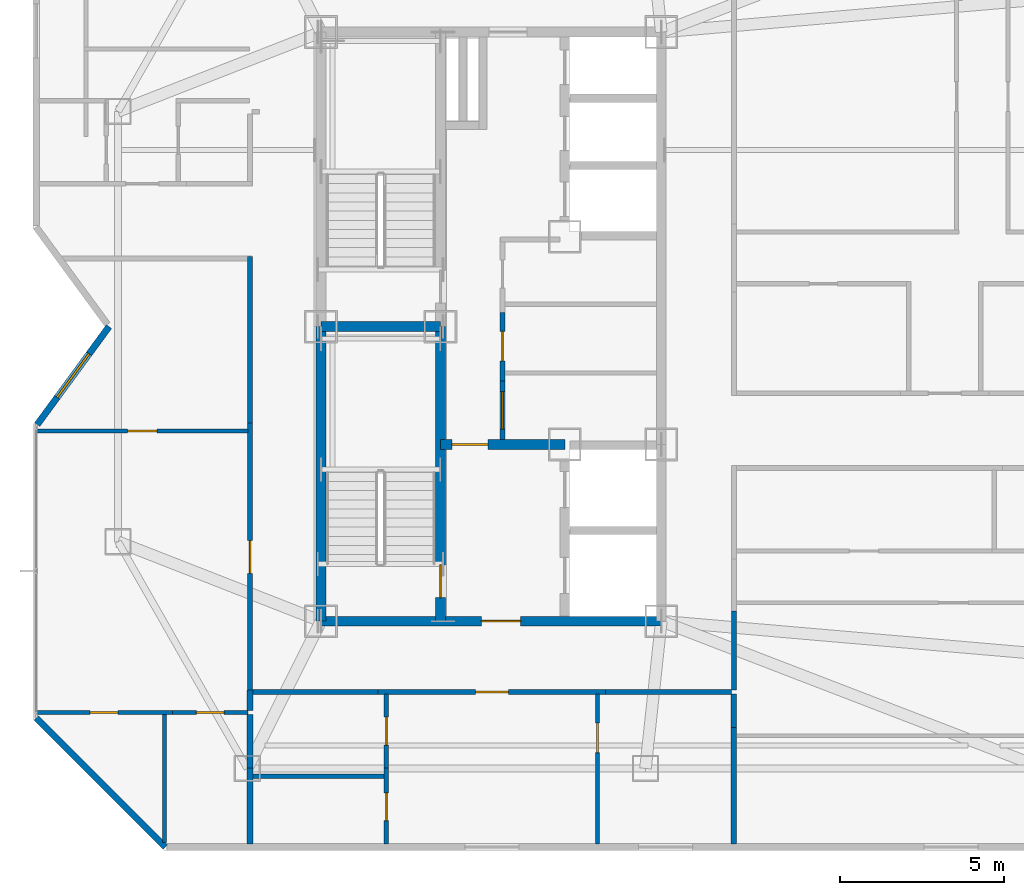
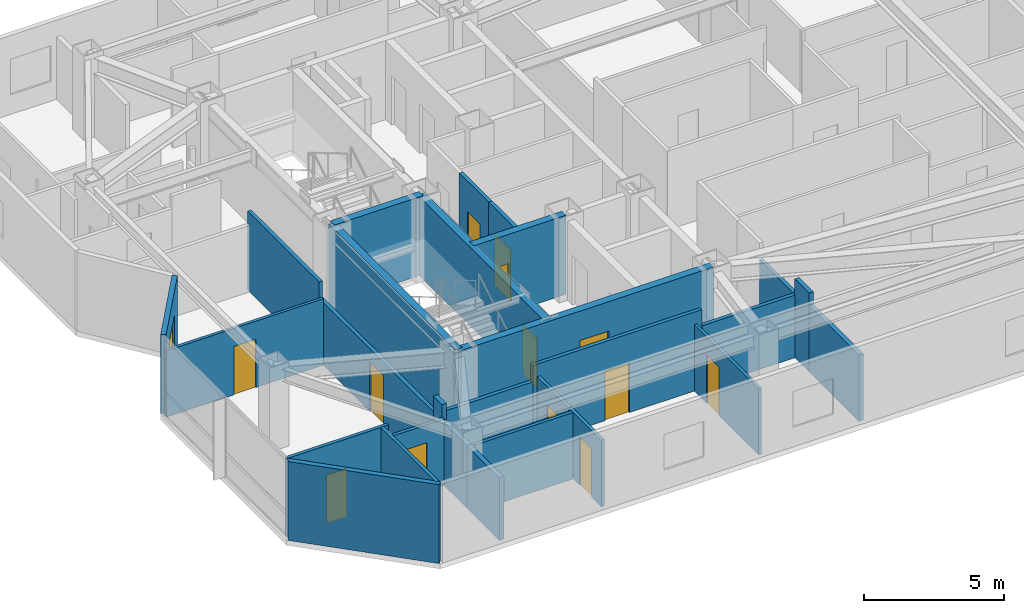
# One storey, part 8 of 14: 28 walls, 13 doors, 1 window, 14 openings.
"""IFC4 building model written with IfcOpenShell, lengths in metres."""

from ifc_helpers import new_model, si_unit, direction, frame, frame_2d, origin, place, context, subcontext, project, spatial, rectangle, extrude, material, layer, layer_set, type_object, element, fill, save


model = new_model("IFC4")

# Units and contexts
model_context = context("Model", 3, precision=1e-05, world=origin(), true_north=direction((0.0, 1.0)))
body_context = subcontext(model_context, "Body", "Model", "MODEL_VIEW")
ifc_project = project(units=[si_unit("LENGTHUNIT", "METRE"), si_unit("AREAUNIT", "SQUARE_METRE"), si_unit("VOLUMEUNIT", "CUBIC_METRE"), si_unit("PLANEANGLEUNIT", "RADIAN"), si_unit("MASSUNIT", "GRAM", prefix="KILO")], contexts=[model_context])

# Site, building, storey
site_placement = place(None, origin())
site = spatial("IfcSite", under=ifc_project, at=site_placement, CompositionType="ELEMENT")
building_placement = place(site_placement, origin())
building = spatial("IfcBuilding", under=site, at=building_placement, Name="Khamvora Tower", CompositionType="ELEMENT")
storey_placement = place(building_placement, frame((0.0, 0.0, 231.800048828125)))
storey = spatial("IfcBuildingStorey", under=building, at=storey_placement, Name="L59", CompositionType="ELEMENT", Elevation=231.800048828125)

# Wall
ifc_material_1 = material(Name="Concrete C50/60", Category="concrete")
ifc_layer_1 = layer(ifc_material_1, 0.300048828125)
ifc_layer_set_1 = layer_set([ifc_layer_1], Name="Concrete C50/60")
wall_type_1 = type_object("IfcWallType", Name="WAL-CORE-300", PredefinedType="SHEAR", material=ifc_layer_set_1)
wall_1_placement = place(storey_placement, frame((29.0, 19.0, 0.0), z_axis=(0.0, 0.0, 1.0), x_axis=(0.0, 1.0, 0.0)))
element("IfcWall", 1, at=wall_1_placement, inside=storey, type_object=wall_type_1, Name="L59 central core west south wall", PredefinedType="SHEAR", context=body_context, shape_type="SweptSolid", body=[
    extrude(rectangle(XDim=9.0, YDim=0.300048828125, at=frame_2d((4.5, 0.0))), origin(), (0.0, 0.0, 1.0), 3.429931640625),
])

# Wall, opening, door
wall_2_placement = place(storey_placement, frame((29.0, 19.0, 0.0), z_axis=(0.0, 0.0, 1.0), x_axis=(1.0, 0.0, 0.0)))
wall_2 = element("IfcWall", 2, at=wall_2_placement, inside=storey, type_object=wall_type_1, Name="L59 central core south wall", PredefinedType="SHEAR", context=body_context, shape_type="SweptSolid", body=[
    extrude(rectangle(XDim=10.39990234375, YDim=0.300048828125, at=frame_2d((5.199951171875, 0.0))), origin(), (0.0, 0.0, 1.0), 3.429931640625),
])
opening_1_placement = place(wall_2_placement, frame((4.89990234375, 0.0, 0.0)))
opening_1 = element("IfcOpeningElement", 3, at=opening_1_placement, cuts=wall_2, Name="Opening D-CR1", PredefinedType="OPENING", context=body_context, shape_type="SweptSolid", body=[
    extrude(rectangle(XDim=1.199951171875, YDim=2.14990234375, at=frame_2d((0.60009765625, 1.074951171875))), frame((0.0, 0.159912109375, 0.0), z_axis=(0.0, -1.0, 0.0), x_axis=(1.0, 0.0, 0.0)), (0.0, 0.0, 1.0), 0.320068359375),
])
ifc_material_2 = material(Name="Powder-Coated Steel and Hardwood Leaf", Category="steel")
door_type_1 = type_object("IfcDoorType", Name="DOR-CORR-1200", OperationType="NOTDEFINED", PredefinedType="DOOR", material=ifc_material_2)
door_1_placement = place(opening_1_placement, origin())
door_1 = element("IfcDoor", 4, at=door_1_placement, inside=storey, type_object=door_type_1, Name="L59 south core lobby to corridor fire door", OperationType="SINGLE_SWING_LEFT", OverallHeight=2.14990234375, OverallWidth=1.199951171875, PredefinedType="DOOR", context=body_context, shape_type="SweptSolid", body=[
    extrude(rectangle(XDim=1.199951171875, YDim=2.14990234375, at=frame_2d((0.60009765625, 1.074951171875))), frame((0.0, 0.02490234375, 0.0), z_axis=(0.0, -1.0, 0.0), x_axis=(1.0, 0.0, 0.0)), (0.0, 0.0, 1.0), 0.050048828125),
])
fill(opening_1, door_1)

wall_3_placement = place(storey_placement, frame((32.64990234375, 19.0, 0.0), z_axis=(0.0, 0.0, 1.0), x_axis=(0.0, 1.0, 0.0)))
wall_3 = element("IfcWall", 5, at=wall_3_placement, inside=storey, type_object=wall_type_1, Name="L59 central core stair south spine wall", PredefinedType="SHEAR", context=body_context, shape_type="SweptSolid", body=[
    extrude(rectangle(XDim=9.0, YDim=0.300048828125, at=frame_2d((4.5, 0.0))), origin(), (0.0, 0.0, 1.0), 3.429931640625),
])
opening_2_placement = place(wall_3_placement, frame((0.719970703125, 0.0, 0.0)))
opening_2 = element("IfcOpeningElement", 6, at=opening_2_placement, cuts=wall_3, Name="Opening D-ST1", PredefinedType="OPENING", context=body_context, shape_type="SweptSolid", body=[
    extrude(rectangle(XDim=1.0, YDim=2.14990234375, at=frame_2d((0.5, 1.074951171875))), frame((0.0, 0.159912109375, 0.0), z_axis=(0.0, -1.0, 0.0), x_axis=(1.0, 0.0, 0.0)), (0.0, 0.0, 1.0), 0.320068359375),
])
door_type_2 = type_object("IfcDoorType", Name="DOR-STAIR-1000", OperationType="NOTDEFINED", PredefinedType="DOOR", material=ifc_material_2)
door_2_placement = place(opening_2_placement, origin())
door_2 = element("IfcDoor", 7, at=door_2_placement, inside=storey, type_object=door_type_2, Name="L59 exit stair ST-01 fire door", OperationType="SINGLE_SWING_RIGHT", OverallHeight=2.14990234375, OverallWidth=1.0, PredefinedType="DOOR", context=body_context, shape_type="SweptSolid", body=[
    extrude(rectangle(XDim=1.0, YDim=2.14990234375, at=frame_2d((0.5, 1.074951171875))), frame((0.0, 0.02490234375, 0.0), z_axis=(0.0, -1.0, 0.0), x_axis=(1.0, 0.0, 0.0)), (0.0, 0.0, 1.0), 0.050048828125),
])
fill(opening_2, door_2)

# Wall
wall_4_placement = place(storey_placement, frame((29.0, 28.0, 0.0), z_axis=(0.0, 0.0, 1.0), x_axis=(1.0, 0.0, 0.0)))
element("IfcWall", 8, at=wall_4_placement, inside=storey, type_object=wall_type_1, Name="L59 central core stair cross wall", PredefinedType="SHEAR", context=body_context, shape_type="SweptSolid", body=[
    extrude(rectangle(XDim=3.64990234375, YDim=0.300048828125, at=frame_2d((1.824951171875, 0.0))), origin(), (0.0, 0.0, 1.0), 3.429931640625),
])

# Wall, opening, door
wall_5_placement = place(storey_placement, frame((32.64990234375, 24.39990234375, 0.0), z_axis=(0.0, 0.0, 1.0), x_axis=(1.0, 0.0, 0.0)))
wall_5 = element("IfcWall", 9, at=wall_5_placement, inside=storey, type_object=wall_type_1, Name="L59 central core firefighting lobby north wall", PredefinedType="SHEAR", context=body_context, shape_type="SweptSolid", body=[
    extrude(rectangle(XDim=3.800048828125, YDim=0.300048828125, at=frame_2d((1.89990234375, 0.0))), origin(), (0.0, 0.0, 1.0), 3.429931640625),
])
opening_3_placement = place(wall_5_placement, frame((0.35009765625, 0.0, 0.0)))
opening_3 = element("IfcOpeningElement", 10, at=opening_3_placement, cuts=wall_5, Name="Opening D-FF1", PredefinedType="OPENING", context=body_context, shape_type="SweptSolid", body=[
    extrude(rectangle(XDim=1.10009765625, YDim=2.14990234375, at=frame_2d((0.550048828125, 1.074951171875))), frame((0.0, 0.159912109375, 0.0), z_axis=(0.0, -1.0, 0.0), x_axis=(1.0, 0.0, 0.0)), (0.0, 0.0, 1.0), 0.320068359375),
])
door_type_3 = type_object("IfcDoorType", Name="DOR-FFLOB-1100", OperationType="NOTDEFINED", PredefinedType="DOOR", material=ifc_material_2)
door_3_placement = place(opening_3_placement, origin())
door_3 = element("IfcDoor", 11, at=door_3_placement, inside=storey, type_object=door_type_3, Name="L59 firefighting lobby smoke-seal fire door", OperationType="SINGLE_SWING_RIGHT", OverallHeight=2.14990234375, OverallWidth=1.10009765625, PredefinedType="DOOR", context=body_context, shape_type="SweptSolid", body=[
    extrude(rectangle(XDim=1.10009765625, YDim=2.14990234375, at=frame_2d((0.550048828125, 1.074951171875))), frame((0.0, 0.02490234375, 0.0), z_axis=(0.0, -1.0, 0.0), x_axis=(1.0, 0.0, 0.0)), (0.0, 0.0, 1.0), 0.050048828125),
])
fill(opening_3, door_3)

ifc_material_3 = material(Name="Fire-Rated Drywall and Steel Stud", Category="steel")
ifc_layer_2 = layer(ifc_material_3, 0.14990234375)
ifc_layer_set_2 = layer_set([ifc_layer_2], Name="Fire-Rated Drywall and Steel Stud")
wall_type_2 = type_object("IfcWallType", Name="WAL-CORR-150", PredefinedType="STANDARD", material=ifc_layer_set_2)
wall_6_placement = place(storey_placement, frame((34.544921875, 28.43603515625, 0.0), z_axis=(0.0, 0.0, 1.0), x_axis=(0.0, -1.0, 0.0)))
wall_6 = element("IfcWall", 12, at=wall_6_placement, inside=storey, type_object=wall_type_2, Name="L59 interior partition wall 003", PredefinedType="STANDARD", context=body_context, shape_type="SweptSolid", body=[
    extrude(rectangle(XDim=2.10009765625, YDim=0.14990234375, at=frame_2d((1.050048828125, 0.0))), origin(), (0.0, 0.0, 1.0), 3.429931640625),
])
opening_4_placement = place(wall_6_placement, frame((0.5791015625, 0.0, 0.0)))
opening_4 = element("IfcOpeningElement", 13, at=opening_4_placement, cuts=wall_6, Name="Opening D-RM1", PredefinedType="OPENING", context=body_context, shape_type="SweptSolid", body=[
    extrude(rectangle(XDim=0.89990234375, YDim=2.10009765625, at=frame_2d((0.449951171875, 1.050048828125))), frame((0.0, 0.0849609375, 0.0), z_axis=(0.0, -1.0, 0.0), x_axis=(1.0, 0.0, 0.0)), (0.0, 0.0, 1.0), 0.169921875),
])
door_type_4 = type_object("IfcDoorType", Name="DOR-ROOM-900", OperationType="NOTDEFINED", PredefinedType="DOOR", material=ifc_material_2)
door_4_placement = place(opening_4_placement, origin())
door_4 = element("IfcDoor", 14, at=door_4_placement, inside=storey, type_object=door_type_4, Name="L59 interior door PHL-CS2", OperationType="SINGLE_SWING_RIGHT", OverallHeight=2.10009765625, OverallWidth=0.89990234375, PredefinedType="DOOR", context=body_context, shape_type="SweptSolid", body=[
    extrude(rectangle(XDim=0.89990234375, YDim=2.10009765625, at=frame_2d((0.449951171875, 1.050048828125))), frame((0.0, 0.02490234375, 0.0), z_axis=(0.0, -1.0, 0.0), x_axis=(1.0, 0.0, 0.0)), (0.0, 0.0, 1.0), 0.050048828125),
])
fill(opening_4, door_4)

wall_7_placement = place(storey_placement, frame((34.544921875, 26.3359375, 0.0), z_axis=(0.0, 0.0, 1.0), x_axis=(0.0, -1.0, 0.0)))
wall_7 = element("IfcWall", 15, at=wall_7_placement, inside=storey, type_object=wall_type_2, Name="L59 interior partition wall 004", PredefinedType="STANDARD", context=body_context, shape_type="SweptSolid", body=[
    extrude(rectangle(XDim=1.7919921875, YDim=0.14990234375, at=frame_2d((0.89599609375, 0.0))), origin(), (0.0, 0.0, 1.0), 3.429931640625),
])
opening_5_placement = place(wall_7_placement, frame((0.321044921875, 0.0, 0.0)))
opening_5 = element("IfcOpeningElement", 16, at=opening_5_placement, cuts=wall_7, Name="Opening D-SC1", PredefinedType="OPENING", context=body_context, shape_type="SweptSolid", body=[
    extrude(rectangle(XDim=1.14990234375, YDim=2.199951171875, at=frame_2d((0.574951171875, 1.10009765625))), frame((0.0, 0.0849609375, 0.0), z_axis=(0.0, -1.0, 0.0), x_axis=(1.0, 0.0, 0.0)), (0.0, 0.0, 1.0), 0.169921875),
])
door_type_5 = type_object("IfcDoorType", Name="DOR-SCHL-1150", OperationType="NOTDEFINED", PredefinedType="DOOR", material=ifc_material_2)
door_5_placement = place(opening_5_placement, origin())
door_5 = element("IfcDoor", 17, at=door_5_placement, inside=storey, type_object=door_type_5, Name="L59 interior door PHL-CS3", OperationType="SINGLE_SWING_LEFT", OverallHeight=2.199951171875, OverallWidth=1.14990234375, PredefinedType="DOOR", context=body_context, shape_type="SweptSolid", body=[
    extrude(rectangle(XDim=1.14990234375, YDim=2.199951171875, at=frame_2d((0.574951171875, 1.10009765625))), frame((0.0, 0.02490234375, 0.0), z_axis=(0.0, -1.0, 0.0), x_axis=(1.0, 0.0, 0.0)), (0.0, 0.0, 1.0), 0.050048828125),
])
fill(opening_5, door_5)

wall_8_placement = place(storey_placement, frame((26.8349609375, 16.89990234375, 0.0), z_axis=(0.0, 0.0, 1.0), x_axis=(0.0, 1.0, 0.0)))
wall_8 = element("IfcWall", 18, at=wall_8_placement, inside=storey, type_object=wall_type_2, Name="L59 interior partition wall 007", PredefinedType="STANDARD", context=body_context, shape_type="SweptSolid", body=[
    extrude(rectangle(XDim=8.1591796875, YDim=0.14990234375, at=frame_2d((4.07958984375, 0.0))), origin(), (0.0, 0.0, 1.0), 2.724853515625),
])
opening_6_placement = place(wall_8_placement, frame((3.55908203125, 0.0, 0.0)))
opening_6 = element("IfcOpeningElement", 19, at=opening_6_placement, cuts=wall_8, Name="Opening D-U1", PredefinedType="OPENING", context=body_context, shape_type="SweptSolid", body=[
    extrude(rectangle(XDim=1.0, YDim=2.14990234375, at=frame_2d((0.5, 1.074951171875))), frame((0.0, 0.0849609375, 0.0), z_axis=(0.0, -1.0, 0.0), x_axis=(1.0, 0.0, 0.0)), (0.0, 0.0, 1.0), 0.169921875),
])
door_type_6 = type_object("IfcDoorType", Name="DOR-UNIT-1000", OperationType="NOTDEFINED", PredefinedType="DOOR", material=ifc_material_2)
door_6_placement = place(opening_6_placement, origin())
door_6 = element("IfcDoor", 20, at=door_6_placement, inside=storey, type_object=door_type_6, Name="L59 interior door COR-59WAH", OperationType="SINGLE_SWING_RIGHT", OverallHeight=2.14990234375, OverallWidth=1.0, PredefinedType="DOOR", context=body_context, shape_type="SweptSolid", body=[
    extrude(rectangle(XDim=1.0, YDim=2.14990234375, at=frame_2d((0.5, 1.074951171875))), frame((0.0, 0.02490234375, 0.0), z_axis=(0.0, -1.0, 0.0), x_axis=(1.0, 0.0, 0.0)), (0.0, 0.0, 1.0), 0.050048828125),
])
fill(opening_6, door_6)

# Wall
wall_9_placement = place(storey_placement, frame((26.8349609375, 25.05908203125, 0.0), z_axis=(0.0, 0.0, 1.0), x_axis=(0.0, 1.0, 0.0)))
element("IfcWall", 21, at=wall_9_placement, inside=storey, type_object=wall_type_2, Name="L59 interior partition wall 008", PredefinedType="STANDARD", context=body_context, shape_type="SweptSolid", body=[
    extrude(rectangle(XDim=5.0908203125, YDim=0.14990234375, at=frame_2d((2.54541015625, 0.0))), origin(), (0.0, 0.0, 1.0), 3.429931640625),
])

# Wall, opening, door
wall_10_placement = place(storey_placement, frame((37.698974609375, 16.8349609375, 0.0), z_axis=(0.0, 0.0, 1.0), x_axis=(-1.0, 0.0, 0.0)))
wall_10 = element("IfcWall", 22, at=wall_10_placement, inside=storey, type_object=wall_type_2, Name="L59 interior partition wall 014", PredefinedType="STANDARD", context=body_context, shape_type="SweptSolid", body=[
    extrude(rectangle(XDim=6.947998046875, YDim=0.14990234375, at=frame_2d((3.47412109375, 0.0))), origin(), (0.0, 0.0, 1.0), 3.429931640625),
])
opening_7_placement = place(wall_10_placement, frame((2.97412109375, 0.0, 0.0)))
opening_7 = element("IfcOpeningElement", 23, at=opening_7_placement, cuts=wall_10, Name="Opening D-U1", PredefinedType="OPENING", context=body_context, shape_type="SweptSolid", body=[
    extrude(rectangle(XDim=1.0, YDim=2.14990234375, at=frame_2d((0.5, 1.074951171875))), frame((0.0, 0.0849609375, 0.0), z_axis=(0.0, -1.0, 0.0), x_axis=(1.0, 0.0, 0.0)), (0.0, 0.0, 1.0), 0.169921875),
])
door_7_placement = place(opening_7_placement, origin())
door_7 = element("IfcDoor", 24, at=door_7_placement, inside=storey, type_object=door_type_6, Name="L59 interior door COR-59SAH", OperationType="SINGLE_SWING_RIGHT", OverallHeight=2.14990234375, OverallWidth=1.0, PredefinedType="DOOR", context=body_context, shape_type="SweptSolid", body=[
    extrude(rectangle(XDim=1.0, YDim=2.14990234375, at=frame_2d((0.5, 1.074951171875))), frame((0.0, 0.02490234375, 0.0), z_axis=(0.0, -1.0, 0.0), x_axis=(1.0, 0.0, 0.0)), (0.0, 0.0, 1.0), 0.050048828125),
])
fill(opening_7, door_7)

# Walls
for number, where, z_axis, x_axis, name in (
    (25, (30.7509765625, 16.8349609375, 0.0), (0.0, 0.0, 1.0), (-1.0, 0.0, 0.0), "L59 interior partition wall 015"),
    (26, (41.550048828125, 16.8349609375, 0.0), (0.0, 0.0, 1.0), (-1.0, 0.0, 0.0), "L59 interior partition wall 016"),
):
    element("IfcWall", number, at=place(storey_placement, frame(where, z_axis=z_axis, x_axis=x_axis)), inside=storey, type_object=wall_type_2, Name=name, PredefinedType="STANDARD", context=body_context, shape_type="SweptSolid", body=[
        extrude(rectangle(XDim=3.85107421875, YDim=0.14990234375, at=frame_2d((1.925537109375, 0.0))), origin(), (0.0, 0.0, 1.0), 2.724853515625),
    ])
wall_11_placement = place(storey_placement, frame((41.614990234375, 19.31396484375, 0.0), z_axis=(0.0, 0.0, 1.0), x_axis=(0.0, -1.0, 0.0)))
element("IfcWall", 27, at=wall_11_placement, inside=storey, type_object=wall_type_2, Name="L59 interior partition wall 027", PredefinedType="STANDARD", context=body_context, shape_type="SweptSolid", body=[
    extrude(rectangle(XDim=2.4140625, YDim=0.14990234375, at=frame_2d((1.20703125, 0.0))), origin(), (0.0, 0.0, 1.0), 2.724853515625),
])
ifc_material_4 = material(Name="Acoustic Double-Stud Fire Wall", Category="gypsum")
ifc_layer_3 = layer(ifc_material_4, 0.179931640625)
ifc_layer_set_3 = layer_set([ifc_layer_3], Name="Acoustic Double-Stud Fire Wall")
wall_type_3 = type_object("IfcWallType", Name="WAL-CORR-180", PredefinedType="STANDARD", material=ifc_layer_set_3)
wall_12_placement = place(storey_placement, frame((26.8349609375, 16.89990234375, 0.0), z_axis=(0.0, 0.0, 1.0), x_axis=(0.0, -1.0, 0.0)))
element("IfcWall", 28, at=wall_12_placement, inside=storey, type_object=wall_type_3, Name="L59 interior partition wall 040", PredefinedType="STANDARD", context=body_context, shape_type="SweptSolid", body=[
    extrude(rectangle(XDim=0.625, YDim=0.179931640625, at=frame_2d((0.3125, 0.0))), origin(), (0.0, 0.0, 1.0), 3.429931640625),
])
wall_13_placement = place(storey_placement, frame((26.8349609375, 14.509033203125, 0.0), z_axis=(0.0, 0.0, 1.0), x_axis=(0.0, -1.0, 0.0)))
element("IfcWall", 29, at=wall_13_placement, inside=storey, type_object=wall_type_3, Name="L59 interior partition wall 042", PredefinedType="STANDARD", context=body_context, shape_type="SweptSolid", body=[
    extrude(rectangle(XDim=2.317138671875, YDim=0.179931640625, at=frame_2d((1.15869140625, 0.0))), origin(), (0.0, 0.0, 1.0), 2.724853515625),
])
wall_14_placement = place(storey_placement, frame((26.8349609375, 16.14501953125, 0.0), z_axis=(0.0, 0.0, 1.0), x_axis=(0.0, -1.0, 0.0)))
element("IfcWall", 30, at=wall_14_placement, inside=storey, type_object=wall_type_3, Name="L59 interior partition wall 043", PredefinedType="STANDARD", context=body_context, shape_type="SweptSolid", body=[
    extrude(rectangle(XDim=1.635986328125, YDim=0.179931640625, at=frame_2d((0.81787109375, 0.0))), origin(), (0.0, 0.0, 1.0), 2.724853515625),
])
wall_15_placement = place(storey_placement, frame((41.614990234375, 15.748046875, 0.0), z_axis=(0.0, 0.0, 1.0), x_axis=(0.0, -1.0, 0.0)))
element("IfcWall", 31, at=wall_15_placement, inside=storey, type_object=wall_type_3, Name="L59 interior partition wall 056", PredefinedType="STANDARD", context=body_context, shape_type="SweptSolid", body=[
    extrude(rectangle(XDim=3.55615234375, YDim=0.179931640625, at=frame_2d((1.778076171875, 0.0))), origin(), (0.0, 0.0, 1.0), 2.886962890625),
])
wall_16_placement = place(storey_placement, frame((41.614990234375, 16.77001953125, 0.0), z_axis=(0.0, 0.0, 1.0), x_axis=(0.0, -1.0, 0.0)))
element("IfcWall", 32, at=wall_16_placement, inside=storey, type_object=wall_type_3, Name="L59 interior partition wall 057", PredefinedType="STANDARD", context=body_context, shape_type="SweptSolid", body=[
    extrude(rectangle(XDim=1.02197265625, YDim=0.179931640625, at=frame_2d((0.510986328125, 0.0))), origin(), (0.0, 0.0, 1.0), 3.429931640625),
])
ifc_material_5 = material(Name="Precast concrete C40/50", Category="concrete")
ifc_layer_4 = layer(ifc_material_5, 0.199951171875)
ifc_layer_set_4 = layer_set([ifc_layer_4], Name="Precast concrete C40/50")
wall_type_4 = type_object("IfcWallType", Name="WAL-EXT-200", PredefinedType="STANDARD", material=ifc_layer_set_4)
wall_17_placement = place(storey_placement, frame((24.240966796875, 12.10009765625, 0.0), z_axis=(0.0, 0.0, 1.0), x_axis=(-0.707106781187, 0.707106781187, 0.0)))
element("IfcWall", 33, at=wall_17_placement, inside=storey, type_object=wall_type_4, Name="L59 exterior facade wall 01.1", PredefinedType="STANDARD", context=body_context, shape_type="SweptSolid", body=[
    extrude(rectangle(XDim=5.5732421875, YDim=0.199951171875, at=frame_2d((2.78662109375, 0.0))), origin(), (0.0, 0.0, 1.0), 3.429931640625),
])

# Wall, opening, window
wall_18_placement = place(storey_placement, frame((20.3291015625, 25.007080078125, 0.0), z_axis=(0.0, 0.0, 1.0), x_axis=(0.591366515379, 0.806402904564, 0.0)))
wall_18 = element("IfcWall", 34, at=wall_18_placement, inside=storey, type_object=wall_type_4, Name="L59 exterior facade wall 03.1", PredefinedType="STANDARD", context=body_context, shape_type="SweptSolid", body=[
    extrude(rectangle(XDim=3.71142578125, YDim=0.199951171875, at=frame_2d((1.855712890625, 0.0))), origin(), (0.0, 0.0, 1.0), 3.429931640625),
])
opening_8_placement = place(wall_18_placement, frame((1.031005859375, 0.0, 0.85009765625)))
opening_8 = element("IfcOpeningElement", 35, at=opening_8_placement, cuts=wall_18, Name="Opening WN-06", PredefinedType="OPENING", context=body_context, shape_type="SweptSolid", body=[
    extrude(rectangle(XDim=1.64990234375, YDim=1.550048828125, at=frame_2d((0.824951171875, 0.77490234375))), frame((0.0, 0.10986328125, 0.0), z_axis=(0.0, -1.0, 0.0), x_axis=(1.0, 0.0, 0.0)), (0.0, 0.0, 1.0), 0.219970703125),
])
ifc_material_6 = material(Name="Low-E Laminated Double Glazing", Category="glass")
window_type = type_object("IfcWindowType", Name="WIN-VIS-1650x1550", PartitioningType="SINGLE_PANEL", PredefinedType="WINDOW", material=ifc_material_6)
window_placement = place(opening_8_placement, origin())
window = element("IfcWindow", 36, at=window_placement, inside=storey, type_object=window_type, Name="L59 vision window 03.1.01", OverallHeight=1.550048828125, OverallWidth=1.64990234375, PartitioningType="SINGLE_PANEL", PredefinedType="WINDOW", context=body_context, shape_type="SweptSolid", body=[
    extrude(rectangle(XDim=1.64990234375, YDim=1.550048828125, at=frame_2d((0.824951171875, 0.77490234375))), frame((0.0, 0.030029296875, 0.0), z_axis=(0.0, -1.0, 0.0), x_axis=(1.0, 0.0, 0.0)), (0.0, 0.0, 1.0), 0.06005859375),
])
fill(opening_8, window)

# Wall, opening, door
ifc_material_7 = material(Name="Gypsum Plasterboard Partition", Category="gypsum")
ifc_layer_5 = layer(ifc_material_7, 0.1201171875)
ifc_layer_set_5 = layer_set([ifc_layer_5], Name="Gypsum Plasterboard Partition")
wall_type_5 = type_object("IfcWallType", Name="WAL-PART-120", PredefinedType="PARTITIONING", material=ifc_layer_set_5)
wall_19_placement = place(storey_placement, frame((20.31005859375, 24.81005859375, 0.0), z_axis=(0.0, 0.0, 1.0), x_axis=(1.0, 0.0, 0.0)))
wall_19 = element("IfcWall", 37, at=wall_19_placement, inside=storey, type_object=wall_type_5, Name="L59 interior partition wall 039", PredefinedType="PARTITIONING", context=body_context, shape_type="SweptSolid", body=[
    extrude(rectangle(XDim=6.4599609375, YDim=0.1201171875, at=frame_2d((3.22998046875, 0.0))), origin(), (0.0, 0.0, 1.0), 2.886962890625),
])
opening_9_placement = place(wall_19_placement, frame((2.780029296875, 0.0, 0.0)))
opening_9 = element("IfcOpeningElement", 38, at=opening_9_placement, cuts=wall_19, Name="Opening D-RM1", PredefinedType="OPENING", context=body_context, shape_type="SweptSolid", body=[
    extrude(rectangle(XDim=0.89990234375, YDim=2.10009765625, at=frame_2d((0.449951171875, 1.050048828125))), frame((0.0, 0.070068359375, 0.0), z_axis=(0.0, -1.0, 0.0), x_axis=(1.0, 0.0, 0.0)), (0.0, 0.0, 1.0), 0.14013671875),
])
door_8_placement = place(opening_9_placement, origin())
door_8 = element("IfcDoor", 39, at=door_8_placement, inside=storey, type_object=door_type_4, Name="L59 interior door 59WAH-59WAR1", OperationType="SINGLE_SWING_LEFT", OverallHeight=2.10009765625, OverallWidth=0.89990234375, PredefinedType="DOOR", context=body_context, shape_type="SweptSolid", body=[
    extrude(rectangle(XDim=0.89990234375, YDim=2.10009765625, at=frame_2d((0.449951171875, 1.050048828125))), frame((0.0, 0.02490234375, 0.0), z_axis=(0.0, -1.0, 0.0), x_axis=(1.0, 0.0, 0.0)), (0.0, 0.0, 1.0), 0.050048828125),
])
fill(opening_9, door_8)

wall_20_placement = place(storey_placement, frame((37.449951171875, 16.77001953125, 0.0), z_axis=(0.0, 0.0, 1.0), x_axis=(0.0, -1.0, 0.0)))
wall_20 = element("IfcWall", 40, at=wall_20_placement, inside=storey, type_object=wall_type_5, Name="L59 interior partition wall 054", PredefinedType="PARTITIONING", context=body_context, shape_type="SweptSolid", body=[
    extrude(rectangle(XDim=4.578125, YDim=0.1201171875, at=frame_2d((2.2890625, 0.0))), origin(), (0.0, 0.0, 1.0), 2.886962890625),
])
opening_10_placement = place(wall_20_placement, frame((0.884033203125, 0.0, 0.0)))
opening_10 = element("IfcOpeningElement", 41, at=opening_10_placement, cuts=wall_20, Name="Opening D-RM1", PredefinedType="OPENING", context=body_context, shape_type="SweptSolid", body=[
    extrude(rectangle(XDim=0.89990234375, YDim=2.10009765625, at=frame_2d((0.449951171875, 1.050048828125))), frame((0.0, 0.070068359375, 0.0), z_axis=(0.0, -1.0, 0.0), x_axis=(1.0, 0.0, 0.0)), (0.0, 0.0, 1.0), 0.14013671875),
])
door_9_placement = place(opening_10_placement, origin())
door_9 = element("IfcDoor", 42, at=door_9_placement, inside=storey, type_object=door_type_4, Name="L59 interior door 59SAH-59SAR1", OperationType="SINGLE_SWING_LEFT", OverallHeight=2.10009765625, OverallWidth=0.89990234375, PredefinedType="DOOR", context=body_context, shape_type="SweptSolid", body=[
    extrude(rectangle(XDim=0.89990234375, YDim=2.10009765625, at=frame_2d((0.449951171875, 1.050048828125))), frame((0.0, 0.02490234375, 0.0), z_axis=(0.0, -1.0, 0.0), x_axis=(1.0, 0.0, 0.0)), (0.0, 0.0, 1.0), 0.050048828125),
])
fill(opening_10, door_9)

ifc_material_8 = material(Name="Moisture-Resistant Plasterboard Partition", Category="gypsum")
ifc_layer_6 = layer(ifc_material_8, 0.135009765625)
ifc_layer_set_6 = layer_set([ifc_layer_6], Name="Moisture-Resistant Plasterboard Partition")
wall_type_6 = type_object("IfcWallType", Name="WAL-WET-135", PredefinedType="PARTITIONING", material=ifc_layer_set_6)
wall_21_placement = place(storey_placement, frame((24.468994140625, 16.2099609375, 0.0), z_axis=(0.0, 0.0, 1.0), x_axis=(-1.0, 0.0, 0.0)))
wall_21 = element("IfcWall", 43, at=wall_21_placement, inside=storey, type_object=wall_type_6, Name="L59 interior partition wall 037", PredefinedType="PARTITIONING", context=body_context, shape_type="SweptSolid", body=[
    extrude(rectangle(XDim=4.158935546875, YDim=0.135009765625, at=frame_2d((2.07958984375, 0.0))), origin(), (0.0, 0.0, 1.0), 3.429931640625),
])
opening_11_placement = place(wall_21_placement, frame((1.675048828125, 0.0, 0.0)))
opening_11 = element("IfcOpeningElement", 44, at=opening_11_placement, cuts=wall_21, Name="Opening D-WC1", PredefinedType="OPENING", context=body_context, shape_type="SweptSolid", body=[
    extrude(rectangle(XDim=0.85009765625, YDim=2.10009765625, at=frame_2d((0.425048828125, 1.050048828125))), frame((0.0, 0.077392578125, 0.0), z_axis=(0.0, -1.0, 0.0), x_axis=(1.0, 0.0, 0.0)), (0.0, 0.0, 1.0), 0.155029296875),
])
door_type_7 = type_object("IfcDoorType", Name="DOR-WET-850", OperationType="NOTDEFINED", PredefinedType="DOOR", material=ifc_material_2)
door_10_placement = place(opening_11_placement, origin())
door_10 = element("IfcDoor", 45, at=door_10_placement, inside=storey, type_object=door_type_7, Name="L59 interior door 59WAH-59WAB", OperationType="SINGLE_SWING_LEFT", OverallHeight=2.10009765625, OverallWidth=0.85009765625, PredefinedType="DOOR", context=body_context, shape_type="SweptSolid", body=[
    extrude(rectangle(XDim=0.85009765625, YDim=2.10009765625, at=frame_2d((0.425048828125, 1.050048828125))), frame((0.0, 0.02490234375, 0.0), z_axis=(0.0, -1.0, 0.0), x_axis=(1.0, 0.0, 0.0)), (0.0, 0.0, 1.0), 0.050048828125),
])
fill(opening_11, door_10)

wall_22_placement = place(storey_placement, frame((26.77001953125, 16.2099609375, 0.0), z_axis=(0.0, 0.0, 1.0), x_axis=(-1.0, 0.0, 0.0)))
wall_22 = element("IfcWall", 46, at=wall_22_placement, inside=storey, type_object=wall_type_6, Name="L59 interior partition wall 038", PredefinedType="PARTITIONING", context=body_context, shape_type="SweptSolid", body=[
    extrude(rectangle(XDim=2.301025390625, YDim=0.135009765625, at=frame_2d((1.150390625, 0.0))), origin(), (0.0, 0.0, 1.0), 2.886962890625),
])
opening_12_placement = place(wall_22_placement, frame((0.72607421875, 0.0, 0.0)))
opening_12 = element("IfcOpeningElement", 47, at=opening_12_placement, cuts=wall_22, Name="Opening D-RM2", PredefinedType="OPENING", context=body_context, shape_type="SweptSolid", body=[
    extrude(rectangle(XDim=0.85009765625, YDim=2.10009765625, at=frame_2d((0.425048828125, 1.050048828125))), frame((0.0, 0.077392578125, 0.0), z_axis=(0.0, -1.0, 0.0), x_axis=(1.0, 0.0, 0.0)), (0.0, 0.0, 1.0), 0.155029296875),
])
door_type_8 = type_object("IfcDoorType", Name="DOR-ROOM-850", OperationType="NOTDEFINED", PredefinedType="DOOR", material=ifc_material_2)
door_11_placement = place(opening_12_placement, origin())
door_11 = element("IfcDoor", 48, at=door_11_placement, inside=storey, type_object=door_type_8, Name="L59 interior door 59WAH-59WAK", OperationType="SINGLE_SWING_RIGHT", OverallHeight=2.10009765625, OverallWidth=0.85009765625, PredefinedType="DOOR", context=body_context, shape_type="SweptSolid", body=[
    extrude(rectangle(XDim=0.85009765625, YDim=2.10009765625, at=frame_2d((0.425048828125, 1.050048828125))), frame((0.0, 0.02490234375, 0.0), z_axis=(0.0, -1.0, 0.0), x_axis=(1.0, 0.0, 0.0)), (0.0, 0.0, 1.0), 0.050048828125),
])
fill(opening_12, door_11)

# Wall
wall_23_placement = place(storey_placement, frame((24.219970703125, 16.14892578125, 0.0), z_axis=(0.0, 0.0, 1.0), x_axis=(0.0, -1.0, 0.0)))
element("IfcWall", 49, at=wall_23_placement, inside=storey, type_object=wall_type_6, Name="L59 interior partition wall 041", PredefinedType="PARTITIONING", context=body_context, shape_type="SweptSolid", body=[
    extrude(rectangle(XDim=3.912841796875, YDim=0.135009765625, at=frame_2d((1.95654296875, 0.0))), origin(), (0.0, 0.0, 1.0), 3.429931640625),
])

# Wall, opening, door
wall_24_placement = place(storey_placement, frame((31.0, 12.19189453125, 0.0), z_axis=(0.0, 0.0, 1.0), x_axis=(0.0, 1.0, 0.0)))
wall_24 = element("IfcWall", 50, at=wall_24_placement, inside=storey, type_object=wall_type_6, Name="L59 interior partition wall 052", PredefinedType="PARTITIONING", context=body_context, shape_type="SweptSolid", body=[
    extrude(rectangle(XDim=2.317138671875, YDim=0.135009765625, at=frame_2d((1.15869140625, 0.0))), origin(), (0.0, 0.0, 1.0), 2.886962890625),
])
opening_13_placement = place(wall_24_placement, frame((0.7119140625, 0.0, 0.0)))
opening_13 = element("IfcOpeningElement", 51, at=opening_13_placement, cuts=wall_24, Name="Opening D-WC1", PredefinedType="OPENING", context=body_context, shape_type="SweptSolid", body=[
    extrude(rectangle(XDim=0.85009765625, YDim=2.10009765625, at=frame_2d((0.425048828125, 1.050048828125))), frame((0.0, 0.077392578125, 0.0), z_axis=(0.0, -1.0, 0.0), x_axis=(1.0, 0.0, 0.0)), (0.0, 0.0, 1.0), 0.155029296875),
])
door_12_placement = place(opening_13_placement, origin())
door_12 = element("IfcDoor", 52, at=door_12_placement, inside=storey, type_object=door_type_7, Name="L59 interior door 59SAH-59SAB", OperationType="SINGLE_SWING_RIGHT", OverallHeight=2.10009765625, OverallWidth=0.85009765625, PredefinedType="DOOR", context=body_context, shape_type="SweptSolid", body=[
    extrude(rectangle(XDim=0.85009765625, YDim=2.10009765625, at=frame_2d((0.425048828125, 1.050048828125))), frame((0.0, 0.02490234375, 0.0), z_axis=(0.0, -1.0, 0.0), x_axis=(1.0, 0.0, 0.0)), (0.0, 0.0, 1.0), 0.050048828125),
])
fill(opening_13, door_12)

wall_25_placement = place(storey_placement, frame((31.0, 14.509033203125, 0.0), z_axis=(0.0, 0.0, 1.0), x_axis=(0.0, 1.0, 0.0)))
wall_25 = element("IfcWall", 53, at=wall_25_placement, inside=storey, type_object=wall_type_6, Name="L59 interior partition wall 053", PredefinedType="PARTITIONING", context=body_context, shape_type="SweptSolid", body=[
    extrude(rectangle(XDim=2.260986328125, YDim=0.135009765625, at=frame_2d((1.13037109375, 0.0))), origin(), (0.0, 0.0, 1.0), 2.886962890625),
])
opening_14_placement = place(wall_25_placement, frame((0.7060546875, 0.0, 0.0)))
opening_14 = element("IfcOpeningElement", 54, at=opening_14_placement, cuts=wall_25, Name="Opening D-RM2", PredefinedType="OPENING", context=body_context, shape_type="SweptSolid", body=[
    extrude(rectangle(XDim=0.85009765625, YDim=2.10009765625, at=frame_2d((0.425048828125, 1.050048828125))), frame((0.0, 0.077392578125, 0.0), z_axis=(0.0, -1.0, 0.0), x_axis=(1.0, 0.0, 0.0)), (0.0, 0.0, 1.0), 0.155029296875),
])
door_13_placement = place(opening_14_placement, origin())
door_13 = element("IfcDoor", 55, at=door_13_placement, inside=storey, type_object=door_type_8, Name="L59 interior door 59SAH-59SAK", OperationType="SINGLE_SWING_LEFT", OverallHeight=2.10009765625, OverallWidth=0.85009765625, PredefinedType="DOOR", context=body_context, shape_type="SweptSolid", body=[
    extrude(rectangle(XDim=0.85009765625, YDim=2.10009765625, at=frame_2d((0.425048828125, 1.050048828125))), frame((0.0, 0.02490234375, 0.0), z_axis=(0.0, -1.0, 0.0), x_axis=(1.0, 0.0, 0.0)), (0.0, 0.0, 1.0), 0.050048828125),
])
fill(opening_14, door_13)

# Wall
wall_26_placement = place(storey_placement, frame((26.9169921875, 14.260009765625, 0.0), z_axis=(0.0, 0.0, 1.0), x_axis=(1.0, 0.0, 0.0)))
element("IfcWall", 56, at=wall_26_placement, inside=storey, type_object=wall_type_6, Name="L59 interior partition wall 055", PredefinedType="PARTITIONING", context=body_context, shape_type="SweptSolid", body=[
    extrude(rectangle(XDim=4.02197265625, YDim=0.135009765625, at=frame_2d((2.010986328125, 0.0))), origin(), (0.0, 0.0, 1.0), 2.886962890625),
])

save(model, "model.ifc")
